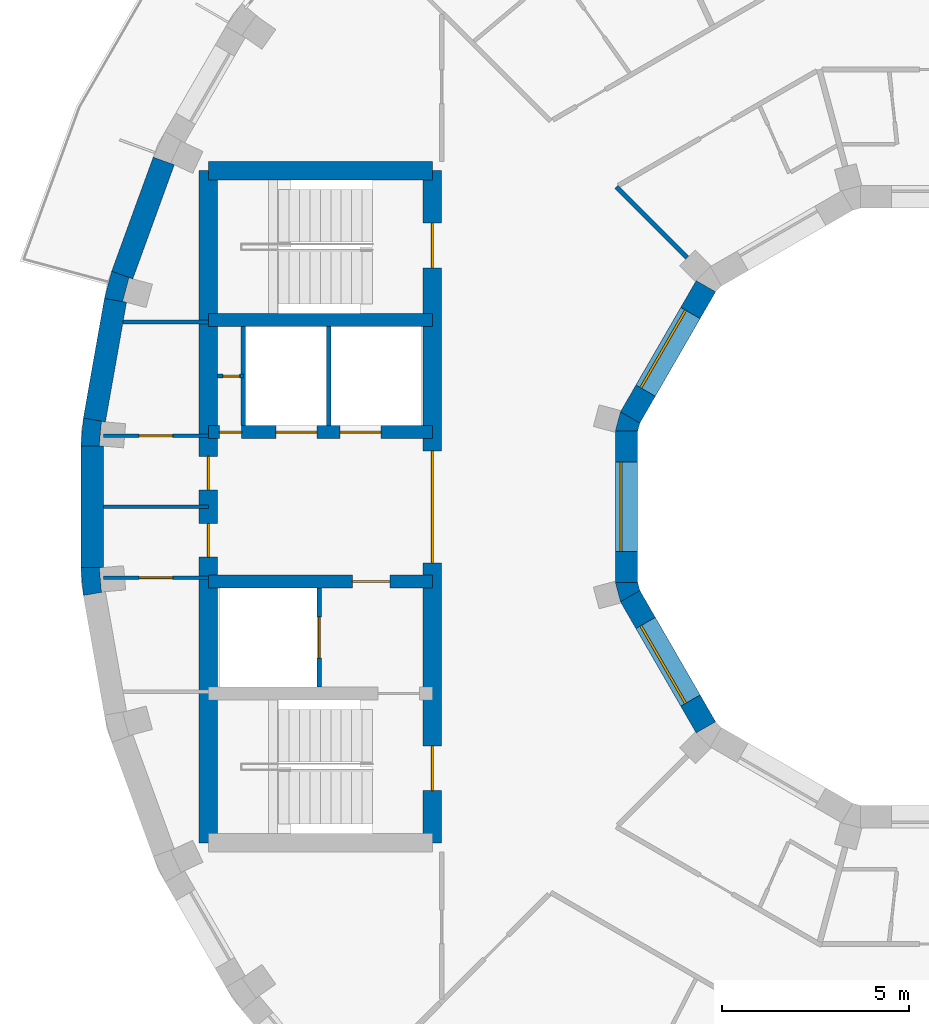
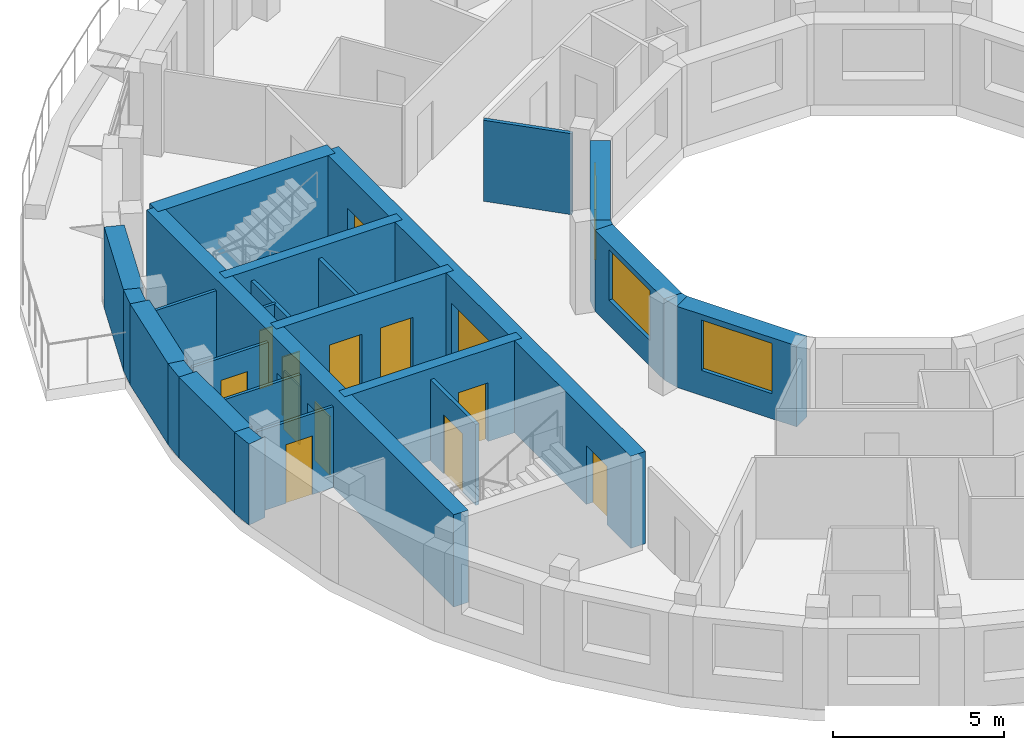
# One storey, part 6 of 12: 26 walls, 13 doors, 3 windows, 16 openings.
"""IFC4 building model written with IfcOpenShell, lengths in metres."""

from ifc_helpers import new_model, si_unit, direction, frame, frame_2d, origin, place, context, subcontext, project, spatial, polyline, rectangle, outline, extrude, material, layer, layer_set, type_object, element, fill, save


model = new_model("IFC4")

# Units and contexts
model_context = context("Model", 3, precision=1e-05, world=origin(), true_north=direction((0.0, 1.0)))
body_context = subcontext(model_context, "Body", "Model", "MODEL_VIEW")
ifc_project = project(units=[si_unit("LENGTHUNIT", "METRE"), si_unit("AREAUNIT", "SQUARE_METRE"), si_unit("VOLUMEUNIT", "CUBIC_METRE"), si_unit("PLANEANGLEUNIT", "RADIAN"), si_unit("MASSUNIT", "GRAM", prefix="KILO")], contexts=[model_context])

# Site, building, storey
site_placement = place(None, origin())
site = spatial("IfcSite", under=ifc_project, at=site_placement, CompositionType="ELEMENT")
building_placement = place(site_placement, origin())
building = spatial("IfcBuilding", under=site, at=building_placement, Name="Saqina Gate Tower", CompositionType="ELEMENT")
storey_placement = place(building_placement, frame((0.0, 0.0, 229.699951171875)))
storey = spatial("IfcBuildingStorey", under=building, at=storey_placement, Name="L65", CompositionType="ELEMENT", Elevation=229.699951171875)

# Walls
ifc_material_1 = material(Name="Brick masonry (buff)", Category="masonry")
wall_type_1 = type_object("IfcWallType", Name="BRICK PIER COPING BUFF", PredefinedType="SOLIDWALL", material=ifc_material_1)
wall_1_placement = place(storey_placement, origin())
element("IfcWall", 1, at=wall_1_placement, inside=storey, type_object=wall_type_1, Name="Pier cap L65 column 17", PredefinedType="SOLIDWALL", context=body_context, shape_type="SweptSolid", body=[
    extrude(outline(polyline([(-22.281982421875, 5.579833984375), (-21.691162109375, 5.4755859375), (-21.793212890625, 5.5029296875), (-21.625, 6.130859375), (-21.52294921875, 6.103515625), (-22.0869140625, 6.30859375), (-22.281982421875, 5.579833984375)])), origin(), (0.0, 0.0, 1.0), 2.900146484375),
])
wall_2_placement = place(storey_placement, origin())
element("IfcWall", 2, at=wall_2_placement, inside=storey, type_object=wall_type_1, Name="Pier cap L65 column 18", PredefinedType="SOLIDWALL", context=body_context, shape_type="SweptSolid", body=[
    extrude(outline(polyline([(-22.8466796875, 2.377685546875), (-22.91259765625, 1.625732421875), (-22.3125, 1.625732421875), (-22.417724609375, 1.635009765625), (-22.361083984375, 2.28271484375), (-22.255859375, 2.2734375), (-22.8466796875, 2.377685546875)])), origin(), (0.0, 0.0, 1.0), 2.900146484375),
])
wall_3_placement = place(storey_placement, origin())
element("IfcWall", 3, at=wall_3_placement, inside=storey, type_object=wall_type_1, Name="Pier cap L65 column 19", PredefinedType="SOLIDWALL", context=body_context, shape_type="SweptSolid", body=[
    extrude(outline(polyline([(-22.91259765625, -1.625732421875), (-22.8466796875, -2.377685546875), (-22.255859375, -2.2734375), (-22.361083984375, -2.28271484375), (-22.417724609375, -1.635009765625), (-22.3125, -1.625732421875), (-22.91259765625, -1.625732421875)])), origin(), (0.0, 0.0, 1.0), 2.900146484375),
])

# Wall, opening, door
ifc_material_2 = material(Name="Gypsum board on steel studs", Category="steel")
ifc_layer_1 = layer(ifc_material_2, 0.10009765625)
ifc_layer_set_1 = layer_set([ifc_layer_1], Name="CORE PARTITION")
wall_type_2 = type_object("IfcWallType", Name="CORE PARTITION", PredefinedType="PARTITIONING", material=ifc_layer_set_1)
wall_4_placement = place(storey_placement, frame((-18.56005859375, 3.5, 0.0), z_axis=(0.0, 0.0, 1.0), x_axis=(-1.0, 0.0, 0.0)))
wall_4 = element("IfcWall", 4, at=wall_4_placement, inside=storey, type_object=wall_type_2, Name="L65-CP-W01", PredefinedType="PARTITIONING", context=body_context, shape_type="SweptSolid", body=[
    extrude(rectangle(XDim=0.68994140625, YDim=0.10009765625, at=frame_2d((0.344970703125, 0.0))), origin(), (0.0, 0.0, 1.0), 2.900146484375),
])
opening_1_placement = place(wall_4_placement, frame((0.10009765625, 0.0, 0.0)))
opening_1 = element("IfcOpeningElement", 5, at=opening_1_placement, cuts=wall_4, Name="Opening G19-D107", PredefinedType="OPENING", context=body_context, shape_type="SweptSolid", body=[
    extrude(rectangle(XDim=0.449951171875, YDim=2.10009765625, at=frame_2d((0.22509765625, 1.050048828125))), frame((0.0, 0.06201171875, 0.0), z_axis=(0.0, -1.0, 0.0), x_axis=(1.0, 0.0, 0.0)), (0.0, 0.0, 1.0), 0.1240234375),
])
ifc_material_3 = material(Name="Steel-framed fire door leaf, EI 60", Category="steel")
door_type_1 = type_object("IfcDoorType", Name="SERVICE ROOM DOOR 450", OperationType="SINGLE_SWING_LEFT", PredefinedType="DOOR", material=ifc_material_3)
door_1_placement = place(opening_1_placement, origin())
door_1 = element("IfcDoor", 6, at=door_1_placement, inside=storey, type_object=door_type_1, Name="L65-CD-W18", OperationType="SINGLE_SWING_RIGHT", OverallHeight=2.10009765625, OverallWidth=0.449951171875, PredefinedType="DOOR", context=body_context, shape_type="SweptSolid", body=[
    extrude(rectangle(XDim=0.449951171875, YDim=2.10009765625, at=frame_2d((0.22509765625, 1.050048828125))), frame((0.0, 0.02490234375, 0.0), z_axis=(0.0, -1.0, 0.0), x_axis=(1.0, 0.0, 0.0)), (0.0, 0.0, 1.0), 0.050048828125),
])
fill(opening_1, door_1)

# Wall
wall_5_placement = place(storey_placement, frame((-19.5, 4.949951171875, 0.0), z_axis=(0.0, 0.0, 1.0), x_axis=(-1.0, 0.0, 0.0)))
element("IfcWall", 7, at=wall_5_placement, inside=storey, type_object=wall_type_2, Name="L65-CP-W02", PredefinedType="PARTITIONING", context=body_context, shape_type="SweptSolid", body=[
    extrude(rectangle(XDim=2.283935546875, YDim=0.10009765625, at=frame_2d((1.14208984375, 0.0))), origin(), (0.0, 0.0, 1.0), 2.900146484375),
])

# Wall, opening, door
wall_6_placement = place(storey_placement, frame((-19.5, 1.89990234375, 0.0), z_axis=(0.0, 0.0, 1.0), x_axis=(-1.0, 0.0, 0.0)))
wall_6 = element("IfcWall", 8, at=wall_6_placement, inside=storey, type_object=wall_type_2, Name="L65-CP-W03", PredefinedType="PARTITIONING", context=body_context, shape_type="SweptSolid", body=[
    extrude(rectangle(XDim=2.8125, YDim=0.10009765625, at=frame_2d((1.40625, 0.0))), origin(), (0.0, 0.0, 1.0), 2.900146484375),
])
opening_2_placement = place(wall_6_placement, frame((0.956298828125, 0.0, 0.0)))
opening_2 = element("IfcOpeningElement", 9, at=opening_2_placement, cuts=wall_6, Name="Opening G19-D103", PredefinedType="OPENING", context=body_context, shape_type="SweptSolid", body=[
    extrude(rectangle(XDim=0.89990234375, YDim=2.10009765625, at=frame_2d((0.449951171875, 1.050048828125))), frame((0.0, 0.06201171875, 0.0), z_axis=(0.0, -1.0, 0.0), x_axis=(1.0, 0.0, 0.0)), (0.0, 0.0, 1.0), 0.1240234375),
])
ifc_material_4 = material(Name="Steel-framed fire door leaf, EI 60", Category="steel")
door_type_2 = type_object("IfcDoorType", Name="SERVICE ROOM DOOR 900", OperationType="SINGLE_SWING_LEFT", PredefinedType="DOOR", material=ifc_material_4)
door_2_placement = place(opening_2_placement, frame((0.89990234375, 0.0, 0.0), z_axis=(0.0, 0.0, 1.0), x_axis=(-1.0, 0.0, 0.0)))
door_2 = element("IfcDoor", 10, at=door_2_placement, inside=storey, type_object=door_type_2, Name="L65-CD-W14", OperationType="SINGLE_SWING_LEFT", OverallHeight=2.10009765625, OverallWidth=0.89990234375, PredefinedType="DOOR", context=body_context, shape_type="SweptSolid", body=[
    extrude(rectangle(XDim=0.89990234375, YDim=2.10009765625, at=frame_2d((0.449951171875, 1.050048828125))), frame((0.0, 0.02490234375, 0.0), z_axis=(0.0, -1.0, 0.0), x_axis=(1.0, 0.0, 0.0)), (0.0, 0.0, 1.0), 0.050048828125),
])
fill(opening_2, door_2)

wall_7_placement = place(storey_placement, frame((-19.5, -1.89990234375, 0.0), z_axis=(0.0, 0.0, 1.0), x_axis=(-1.0, 0.0, 0.0)))
wall_7 = element("IfcWall", 11, at=wall_7_placement, inside=storey, type_object=wall_type_2, Name="L65-CP-W05", PredefinedType="PARTITIONING", context=body_context, shape_type="SweptSolid", body=[
    extrude(rectangle(XDim=2.8125, YDim=0.10009765625, at=frame_2d((1.40625, 0.0))), origin(), (0.0, 0.0, 1.0), 2.900146484375),
])
opening_3_placement = place(wall_7_placement, frame((0.956298828125, 0.0, 0.0)))
opening_3 = element("IfcOpeningElement", 12, at=opening_3_placement, cuts=wall_7, Name="Opening G19-D105", PredefinedType="OPENING", context=body_context, shape_type="SweptSolid", body=[
    extrude(rectangle(XDim=0.89990234375, YDim=2.10009765625, at=frame_2d((0.449951171875, 1.050048828125))), frame((0.0, 0.06201171875, 0.0), z_axis=(0.0, -1.0, 0.0), x_axis=(1.0, 0.0, 0.0)), (0.0, 0.0, 1.0), 0.1240234375),
])
door_3_placement = place(opening_3_placement, origin())
door_3 = element("IfcDoor", 13, at=door_3_placement, inside=storey, type_object=door_type_2, Name="L65-CD-W16", OperationType="SINGLE_SWING_RIGHT", OverallHeight=2.10009765625, OverallWidth=0.89990234375, PredefinedType="DOOR", context=body_context, shape_type="SweptSolid", body=[
    extrude(rectangle(XDim=0.89990234375, YDim=2.10009765625, at=frame_2d((0.449951171875, 1.050048828125))), frame((0.0, 0.02490234375, 0.0), z_axis=(0.0, -1.0, 0.0), x_axis=(1.0, 0.0, 0.0)), (0.0, 0.0, 1.0), 0.050048828125),
])
fill(opening_3, door_3)

# Walls
wall_8_placement = place(storey_placement, frame((-19.5, 0.0, 0.0), z_axis=(0.0, 0.0, 1.0), x_axis=(-1.0, 0.0, 0.0)))
element("IfcWall", 14, at=wall_8_placement, inside=storey, type_object=wall_type_2, Name="L65-CP-W06", PredefinedType="PARTITIONING", context=body_context, shape_type="SweptSolid", body=[
    extrude(rectangle(XDim=2.8125, YDim=0.10009765625, at=frame_2d((1.40625, 0.0))), origin(), (0.0, 0.0, 1.0), 2.900146484375),
])
ifc_material_5 = material(Name="Glazed ceramic tile", Category="ceramic")
ifc_layer_2 = layer(ifc_material_5, 0.60009765625)
ifc_layer_set_2 = layer_set([ifc_layer_2], Name="FW-TILE")
wall_type_3 = type_object("IfcWallType", Name="FW-TILE", PredefinedType="SOLIDWALL", material=ifc_layer_set_2)
wall_9_placement = place(storey_placement, frame((-20.692626953125, 9.26171875, 0.0), z_axis=(0.0, 0.0, 1.0), x_axis=(-0.342056509473, -0.939679383794, 0.0)))
element("IfcWall", 15, at=wall_9_placement, inside=storey, type_object=wall_type_3, Name="Facade wall L65 facet 16", PredefinedType="SOLIDWALL", context=body_context, shape_type="SweptSolid", body=[
    extrude(rectangle(XDim=3.251708984375, YDim=0.60009765625, at=frame_2d((1.6259765625, 0.0))), origin(), (0.0, 0.0, 1.0), 2.900146484375),
])
wall_10_placement = place(storey_placement, frame((-22.612548828125, 1.625732421875, 0.0), z_axis=(0.0, 0.0, 1.0), x_axis=(0.0, -1.0, 0.0)))
element("IfcWall", 16, at=wall_10_placement, inside=storey, type_object=wall_type_3, Name="Facade wall L65 facet 18", PredefinedType="SOLIDWALL", context=body_context, shape_type="SweptSolid", body=[
    extrude(rectangle(XDim=3.25146484375, YDim=0.60009765625, at=frame_2d((1.625732421875, 0.0))), origin(), (0.0, 0.0, 1.0), 2.900146484375),
])
ifc_material_6 = material(Name="Glazed ceramic tile (dark blue)", Category="ceramic")
ifc_layer_3 = layer(ifc_material_6, 0.60009765625)
ifc_layer_set_3 = layer_set([ifc_layer_3], Name="FW-TILE-CB")
wall_type_4 = type_object("IfcWallType", Name="FW-TILE-CB", PredefinedType="SOLIDWALL", material=ifc_layer_set_3)
wall_11_placement = place(storey_placement, frame((-21.986572265625, 5.52783203125, 0.0), z_axis=(0.0, 0.0, 1.0), x_axis=(-0.173656842178, -0.984806225186, 0.0)))
element("IfcWall", 17, at=wall_11_placement, inside=storey, type_object=wall_type_4, Name="Facade wall L65 facet 17", PredefinedType="SOLIDWALL", context=body_context, shape_type="SweptSolid", body=[
    extrude(rectangle(XDim=3.251708984375, YDim=0.60009765625, at=frame_2d((1.6259765625, 0.0))), origin(), (0.0, 0.0, 1.0), 2.900146484375),
])

# Wall, opening, window
ifc_material_7 = material(Name="Glazed ceramic tile", Category="ceramic")
ifc_layer_4 = layer(ifc_material_7, 0.60009765625)
ifc_layer_set_4 = layer_set([ifc_layer_4], Name="IW-TILE")
wall_type_5 = type_object("IfcWallType", Name="IW-TILE", PredefinedType="SOLIDWALL", material=ifc_layer_set_4)
wall_12_placement = place(storey_placement, frame((-6.17333984375, 5.907470703125, 0.0), z_axis=(0.0, 0.0, 1.0), x_axis=(-0.499994954979, -0.866028316509, 0.0)))
wall_12 = element("IfcWall", 18, at=wall_12_placement, inside=storey, type_object=wall_type_5, Name="Well wall L65 facet 5", PredefinedType="SOLIDWALL", context=body_context, shape_type="SweptSolid", body=[
    extrude(rectangle(XDim=4.05859375, YDim=0.60009765625, at=frame_2d((2.029296875, 0.0))), origin(), (0.0, 0.0, 1.0), 2.900146484375),
])
opening_4_placement = place(wall_12_placement, frame((0.829345703125, 0.0, 0.89990234375)))
opening_4 = element("IfcOpeningElement", 19, at=opening_4_placement, cuts=wall_12, Name="Opening G19-W27", PredefinedType="OPENING", context=body_context, shape_type="SweptSolid", body=[
    extrude(rectangle(XDim=2.39990234375, YDim=1.800048828125, at=frame_2d((1.199951171875, 0.89990234375))), frame((0.0, 0.31201171875, 0.0), z_axis=(0.0, -1.0, 0.0), x_axis=(1.0, 0.0, 0.0)), (0.0, 0.0, 1.0), 0.6240234375),
])
ifc_material_8 = material(Name="Aluminium glazing", Category="aluminium")
window_type = type_object("IfcWindowType", Name="WN-W", PartitioningType="SINGLE_PANEL", PredefinedType="WINDOW", material=ifc_material_8)
window_1_placement = place(opening_4_placement, origin())
window_1 = element("IfcWindow", 20, at=window_1_placement, inside=storey, type_object=window_type, Name="Well window L65 facet 5", OverallHeight=1.800048828125, OverallWidth=2.39990234375, PartitioningType="SINGLE_PANEL", PredefinedType="WINDOW", context=body_context, shape_type="SweptSolid", body=[
    extrude(rectangle(XDim=2.39990234375, YDim=1.800048828125, at=frame_2d((1.199951171875, 0.89990234375))), frame((0.0, -0.119873046875, 0.0), z_axis=(0.0, -1.0, 0.0), x_axis=(1.0, 0.0, 0.0)), (0.0, 0.0, 1.0), 0.06005859375),
])
fill(opening_4, window_1)

wall_13_placement = place(storey_placement, frame((-8.300048828125, 2.029296875, 0.0), z_axis=(0.0, 0.0, 1.0), x_axis=(0.0, -1.0, 0.0)))
wall_13 = element("IfcWall", 21, at=wall_13_placement, inside=storey, type_object=wall_type_5, Name="Well wall L65 facet 6", PredefinedType="SOLIDWALL", context=body_context, shape_type="SweptSolid", body=[
    extrude(rectangle(XDim=4.05859375, YDim=0.60009765625, at=frame_2d((2.029296875, 0.0))), origin(), (0.0, 0.0, 1.0), 2.900146484375),
])
opening_5_placement = place(wall_13_placement, frame((0.829345703125, 0.0, 0.89990234375)))
opening_5 = element("IfcOpeningElement", 22, at=opening_5_placement, cuts=wall_13, Name="Opening G19-W28", PredefinedType="OPENING", context=body_context, shape_type="SweptSolid", body=[
    extrude(rectangle(XDim=2.39990234375, YDim=1.800048828125, at=frame_2d((1.199951171875, 0.89990234375))), frame((0.0, 0.31201171875, 0.0), z_axis=(0.0, -1.0, 0.0), x_axis=(1.0, 0.0, 0.0)), (0.0, 0.0, 1.0), 0.6240234375),
])
window_2_placement = place(opening_5_placement, origin())
window_2 = element("IfcWindow", 23, at=window_2_placement, inside=storey, type_object=window_type, Name="Well window L65 facet 6", OverallHeight=1.800048828125, OverallWidth=2.39990234375, PartitioningType="SINGLE_PANEL", PredefinedType="WINDOW", context=body_context, shape_type="SweptSolid", body=[
    extrude(rectangle(XDim=2.39990234375, YDim=1.800048828125, at=frame_2d((1.199951171875, 0.89990234375))), frame((0.0, -0.119873046875, 0.0), z_axis=(0.0, -1.0, 0.0), x_axis=(1.0, 0.0, 0.0)), (0.0, 0.0, 1.0), 0.06005859375),
])
fill(opening_5, window_2)

wall_14_placement = place(storey_placement, frame((-8.20263671875, -2.392578125, 0.0), z_axis=(0.0, 0.0, 1.0), x_axis=(0.499994954979, -0.866028316509, 0.0)))
wall_14 = element("IfcWall", 24, at=wall_14_placement, inside=storey, type_object=wall_type_5, Name="Well wall L65 facet 7", PredefinedType="SOLIDWALL", context=body_context, shape_type="SweptSolid", body=[
    extrude(rectangle(XDim=4.05859375, YDim=0.60009765625, at=frame_2d((2.029296875, 0.0))), origin(), (0.0, 0.0, 1.0), 2.900146484375),
])
opening_6_placement = place(wall_14_placement, frame((0.829345703125, 0.0, 0.89990234375)))
opening_6 = element("IfcOpeningElement", 25, at=opening_6_placement, cuts=wall_14, Name="Opening G19-W29", PredefinedType="OPENING", context=body_context, shape_type="SweptSolid", body=[
    extrude(rectangle(XDim=2.39990234375, YDim=1.800048828125, at=frame_2d((1.199951171875, 0.89990234375))), frame((0.0, 0.31201171875, 0.0), z_axis=(0.0, -1.0, 0.0), x_axis=(1.0, 0.0, 0.0)), (0.0, 0.0, 1.0), 0.6240234375),
])
window_3_placement = place(opening_6_placement, origin())
window_3 = element("IfcWindow", 26, at=window_3_placement, inside=storey, type_object=window_type, Name="Well window L65 facet 7", OverallHeight=1.800048828125, OverallWidth=2.39990234375, PartitioningType="SINGLE_PANEL", PredefinedType="WINDOW", context=body_context, shape_type="SweptSolid", body=[
    extrude(rectangle(XDim=2.39990234375, YDim=1.800048828125, at=frame_2d((1.199951171875, 0.89990234375))), frame((0.0, -0.119873046875, 0.0), z_axis=(0.0, -1.0, 0.0), x_axis=(1.0, 0.0, 0.0)), (0.0, 0.0, 1.0), 0.06005859375),
])
fill(opening_6, window_3)

# Walls
ifc_material_9 = material(Name="Gypsum board on steel studs, 125 mm, fire rated", Category="steel")
ifc_layer_5 = layer(ifc_material_9, 0.125)
ifc_layer_set_5 = layer_set([ifc_layer_5], Name="PARTITION EI 30 125")
wall_type_6 = type_object("IfcWallType", Name="PARTITION EI 30 125", PredefinedType="PARTITIONING", material=ifc_layer_set_5)
wall_15_placement = place(storey_placement, frame((-8.572021484375, 8.572021484375, 0.0), z_axis=(0.0, 0.0, 1.0), x_axis=(0.707106781187, -0.707106781187, 0.0)))
element("IfcWall", 27, at=wall_15_placement, inside=storey, type_object=wall_type_6, Name="PARTITION PW1-05", PredefinedType="PARTITIONING", context=body_context, shape_type="SweptSolid", body=[
    extrude(rectangle(XDim=2.680419921875, YDim=0.125, at=frame_2d((1.34033203125, 0.0))), origin(), (0.0, 0.0, 1.0), 2.900146484375),
])
ifc_material_10 = material(Name="Autoclaved aerated concrete block", Category="concrete")
ifc_layer_6 = layer(ifc_material_10, 0.1201171875)
ifc_layer_set_6 = layer_set([ifc_layer_6], Name="SHAFT PARTITION")
wall_type_7 = type_object("IfcWallType", Name="SHAFT PARTITION", PredefinedType="PARTITIONING", material=ifc_layer_set_6)
for number, where, z_axis, x_axis, name in (
    (28, (-16.280029296875, 2.175048828125, 0.0), (0.0, 0.0, 1.0), (0.0, 1.0, 0.0), "L65-CP-W07"),
    (29, (-18.56005859375, 2.175048828125, 0.0), (0.0, 0.0, 1.0), (0.0, 1.0, 0.0), "L65-CP-W08"),
):
    element("IfcWall", number, at=place(storey_placement, frame(where, z_axis=z_axis, x_axis=x_axis)), inside=storey, type_object=wall_type_7, Name=name, PredefinedType="PARTITIONING", context=body_context, shape_type="SweptSolid", body=[
        extrude(rectangle(XDim=2.64990234375, YDim=0.1201171875, at=frame_2d((1.324951171875, 0.0))), origin(), (0.0, 0.0, 1.0), 2.900146484375),
    ])

# Wall, opening, door
wall_16_placement = place(storey_placement, frame((-16.530029296875, -4.824951171875, 0.0), z_axis=(0.0, 0.0, 1.0), x_axis=(0.0, 1.0, 0.0)))
wall_16 = element("IfcWall", 30, at=wall_16_placement, inside=storey, type_object=wall_type_7, Name="L65-CP-W09", PredefinedType="PARTITIONING", context=body_context, shape_type="SweptSolid", body=[
    extrude(rectangle(XDim=2.64990234375, YDim=0.1201171875, at=frame_2d((1.324951171875, 0.0))), origin(), (0.0, 0.0, 1.0), 2.900146484375),
])
opening_7_placement = place(wall_16_placement, frame((0.77490234375, 0.0, 0.0)))
opening_7 = element("IfcOpeningElement", 31, at=opening_7_placement, cuts=wall_16, Name="Opening G19-LD6", PredefinedType="OPENING", context=body_context, shape_type="SweptSolid", body=[
    extrude(rectangle(XDim=1.10009765625, YDim=2.10009765625, at=frame_2d((0.550048828125, 1.050048828125))), frame((0.0, 0.072021484375, 0.0), z_axis=(0.0, -1.0, 0.0), x_axis=(1.0, 0.0, 0.0)), (0.0, 0.0, 1.0), 0.14404296875),
])
ifc_material_11 = material(Name="Stainless steel", Category="steel")
door_type_3 = type_object("IfcDoorType", Name="LANDING DOOR", OperationType="DOUBLE_DOOR_SLIDING", PredefinedType="DOOR", material=ifc_material_11)
door_4_placement = place(opening_7_placement, origin())
door_4 = element("IfcDoor", 32, at=door_4_placement, inside=storey, type_object=door_type_3, Name="LANDING DOOR FF2", OperationType="DOUBLE_DOOR_SLIDING", OverallHeight=2.10009765625, OverallWidth=1.10009765625, PredefinedType="DOOR", context=body_context, shape_type="SweptSolid", body=[
    extrude(rectangle(XDim=1.10009765625, YDim=2.10009765625, at=frame_2d((0.550048828125, 1.050048828125))), frame((0.0, 0.02490234375, 0.0), z_axis=(0.0, -1.0, 0.0), x_axis=(1.0, 0.0, 0.0)), (0.0, 0.0, 1.0), 0.050048828125),
])
fill(opening_7, door_4)

# Wall
ifc_material_12 = material(Name="Concrete C60/75", Category="concrete")
ifc_layer_7 = layer(ifc_material_12, 0.35009765625)
ifc_layer_set_7 = layer_set([ifc_layer_7], Name="Concrete C60/75")
wall_type_8 = type_object("IfcWallType", Name="STR-CORE WALL-D-I", PredefinedType="SHEAR", material=ifc_layer_set_7)
wall_17_placement = place(storey_placement, frame((-13.5, 5.0, 0.0), z_axis=(0.0, 0.0, 1.0), x_axis=(-1.0, 0.0, 0.0)))
element("IfcWall", 33, at=wall_17_placement, inside=storey, type_object=wall_type_8, Name="CORE WALL L65 W-X1", PredefinedType="SHEAR", context=body_context, shape_type="SweptSolid", body=[
    extrude(rectangle(XDim=6.0, YDim=0.35009765625, at=frame_2d((3.0, 0.0))), origin(), (0.0, 0.0, 1.0), 3.300048828125),
])

# Wall, openings, doors
wall_18_placement = place(storey_placement, frame((-13.5, 2.0, 0.0), z_axis=(0.0, 0.0, 1.0), x_axis=(-1.0, 0.0, 0.0)))
wall_18 = element("IfcWall", 34, at=wall_18_placement, inside=storey, type_object=wall_type_8, Name="CORE WALL L65 W-L1", PredefinedType="SHEAR", context=body_context, shape_type="SweptSolid", body=[
    extrude(rectangle(XDim=6.0, YDim=0.35009765625, at=frame_2d((3.0, 0.0))), origin(), (0.0, 0.0, 1.0), 3.300048828125),
])
opening_8_placement = place(wall_18_placement, frame((1.3701171875, 0.0, 0.0)))
opening_8 = element("IfcOpeningElement", 35, at=opening_8_placement, cuts=wall_18, Name="Opening G19-LD4", PredefinedType="OPENING", context=body_context, shape_type="SweptSolid", body=[
    extrude(rectangle(XDim=1.10009765625, YDim=2.10009765625, at=frame_2d((0.550048828125, 1.050048828125))), frame((0.0, 0.18701171875, 0.0), z_axis=(0.0, -1.0, 0.0), x_axis=(1.0, 0.0, 0.0)), (0.0, 0.0, 1.0), 0.3740234375),
])
opening_9_placement = place(wall_18_placement, frame((3.090087890625, 0.0, 0.0)))
opening_9 = element("IfcOpeningElement", 36, at=opening_9_placement, cuts=wall_18, Name="Opening G19-LD5", PredefinedType="OPENING", context=body_context, shape_type="SweptSolid", body=[
    extrude(rectangle(XDim=1.10009765625, YDim=2.10009765625, at=frame_2d((0.550048828125, 1.050048828125))), frame((0.0, 0.18701171875, 0.0), z_axis=(0.0, -1.0, 0.0), x_axis=(1.0, 0.0, 0.0)), (0.0, 0.0, 1.0), 0.3740234375),
])
opening_10_placement = place(wall_18_placement, frame((5.10498046875, 0.0, 0.0)))
opening_10 = element("IfcOpeningElement", 37, at=opening_10_placement, cuts=wall_18, Name="Opening G19-D101", PredefinedType="OPENING", context=body_context, shape_type="SweptSolid", body=[
    extrude(rectangle(XDim=0.60009765625, YDim=2.10009765625, at=frame_2d((0.300048828125, 1.050048828125))), frame((0.0, 0.18701171875, 0.0), z_axis=(0.0, -1.0, 0.0), x_axis=(1.0, 0.0, 0.0)), (0.0, 0.0, 1.0), 0.3740234375),
])
door_5_placement = place(opening_8_placement, origin())
door_5 = element("IfcDoor", 38, at=door_5_placement, inside=storey, type_object=door_type_3, Name="LANDING DOOR HR3", OperationType="DOUBLE_DOOR_SLIDING", OverallHeight=2.10009765625, OverallWidth=1.10009765625, PredefinedType="DOOR", context=body_context, shape_type="SweptSolid", body=[
    extrude(rectangle(XDim=1.10009765625, YDim=2.10009765625, at=frame_2d((0.550048828125, 1.050048828125))), frame((0.0, 0.02490234375, 0.0), z_axis=(0.0, -1.0, 0.0), x_axis=(1.0, 0.0, 0.0)), (0.0, 0.0, 1.0), 0.050048828125),
])
fill(opening_8, door_5)
door_6_placement = place(opening_9_placement, origin())
door_6 = element("IfcDoor", 39, at=door_6_placement, inside=storey, type_object=door_type_3, Name="LANDING DOOR HR4", OperationType="DOUBLE_DOOR_SLIDING", OverallHeight=2.10009765625, OverallWidth=1.10009765625, PredefinedType="DOOR", context=body_context, shape_type="SweptSolid", body=[
    extrude(rectangle(XDim=1.10009765625, YDim=2.10009765625, at=frame_2d((0.550048828125, 1.050048828125))), frame((0.0, 0.02490234375, 0.0), z_axis=(0.0, -1.0, 0.0), x_axis=(1.0, 0.0, 0.0)), (0.0, 0.0, 1.0), 0.050048828125),
])
fill(opening_9, door_6)
ifc_material_13 = material(Name="Steel-framed fire door leaf, EI 60", Category="steel")
door_type_4 = type_object("IfcDoorType", Name="SERVICE ROOM DOOR 600", OperationType="SINGLE_SWING_LEFT", PredefinedType="DOOR", material=ifc_material_13)
door_7_placement = place(opening_10_placement, frame((0.60009765625, 0.0, 0.0), z_axis=(0.0, 0.0, 1.0), x_axis=(-1.0, 0.0, 0.0)))
door_7 = element("IfcDoor", 40, at=door_7_placement, inside=storey, type_object=door_type_4, Name="L65-CD-W12", OperationType="SINGLE_SWING_LEFT", OverallHeight=2.10009765625, OverallWidth=0.60009765625, PredefinedType="DOOR", context=body_context, shape_type="SweptSolid", body=[
    extrude(rectangle(XDim=0.60009765625, YDim=2.10009765625, at=frame_2d((0.300048828125, 1.050048828125))), frame((0.0, 0.02490234375, 0.0), z_axis=(0.0, -1.0, 0.0), x_axis=(1.0, 0.0, 0.0)), (0.0, 0.0, 1.0), 0.050048828125),
])
fill(opening_10, door_7)

# Wall, opening, door
wall_19_placement = place(storey_placement, frame((-13.5, -2.0, 0.0), z_axis=(0.0, 0.0, 1.0), x_axis=(-1.0, 0.0, 0.0)))
wall_19 = element("IfcWall", 41, at=wall_19_placement, inside=storey, type_object=wall_type_8, Name="CORE WALL L65 W-L2", PredefinedType="SHEAR", context=body_context, shape_type="SweptSolid", body=[
    extrude(rectangle(XDim=6.0, YDim=0.35009765625, at=frame_2d((3.0, 0.0))), origin(), (0.0, 0.0, 1.0), 3.300048828125),
])
opening_11_placement = place(wall_19_placement, frame((1.139892578125, 0.0, 0.0)))
opening_11 = element("IfcOpeningElement", 42, at=opening_11_placement, cuts=wall_19, Name="Opening G19-D102", PredefinedType="OPENING", context=body_context, shape_type="SweptSolid", body=[
    extrude(rectangle(XDim=1.0, YDim=2.10009765625, at=frame_2d((0.5, 1.050048828125))), frame((0.0, 0.18701171875, 0.0), z_axis=(0.0, -1.0, 0.0), x_axis=(1.0, 0.0, 0.0)), (0.0, 0.0, 1.0), 0.3740234375),
])
ifc_material_14 = material(Name="Steel", Category="steel")
door_type_5 = type_object("IfcDoorType", Name="FIRE LOBBY DOOR EI 60", OperationType="SINGLE_SWING_LEFT", PredefinedType="DOOR", material=ifc_material_14)
door_8_placement = place(opening_11_placement, frame((1.0, 0.0, 0.0), z_axis=(0.0, 0.0, 1.0), x_axis=(-1.0, 0.0, 0.0)))
door_8 = element("IfcDoor", 43, at=door_8_placement, inside=storey, type_object=door_type_5, Name="L65-CD-W13", OperationType="SINGLE_SWING_RIGHT", OverallHeight=2.10009765625, OverallWidth=1.0, PredefinedType="DOOR", context=body_context, shape_type="SweptSolid", body=[
    extrude(rectangle(XDim=1.0, YDim=2.10009765625, at=frame_2d((0.5, 1.050048828125))), frame((0.0, 0.02490234375, 0.0), z_axis=(0.0, -1.0, 0.0), x_axis=(1.0, 0.0, 0.0)), (0.0, 0.0, 1.0), 0.050048828125),
])
fill(opening_11, door_8)

# Wall, openings, doors
ifc_material_15 = material(Name="Concrete C60/75", Category="concrete")
ifc_layer_8 = layer(ifc_material_15, 0.5)
ifc_layer_set_8 = layer_set([ifc_layer_8], Name="Concrete C60/75")
wall_type_9 = type_object("IfcWallType", Name="STR-CORE WALL-D-O", PredefinedType="SHEAR", material=ifc_layer_set_8)
wall_20_placement = place(storey_placement, frame((-13.5, -9.0, 0.0), z_axis=(0.0, 0.0, 1.0), x_axis=(0.0, 1.0, 0.0)))
wall_20 = element("IfcWall", 44, at=wall_20_placement, inside=storey, type_object=wall_type_9, Name="CORE WALL L65 W-W1", PredefinedType="SHEAR", context=body_context, shape_type="SweptSolid", body=[
    extrude(rectangle(XDim=18.0, YDim=0.5, at=frame_2d((9.0, 0.0))), origin(), (0.0, 0.0, 1.0), 3.300048828125),
])
opening_12_placement = place(wall_20_placement, frame((15.39990234375, 0.0, 0.0)))
opening_12 = element("IfcOpeningElement", 45, at=opening_12_placement, cuts=wall_20, Name="Opening G19-D109", PredefinedType="OPENING", context=body_context, shape_type="SweptSolid", body=[
    extrude(rectangle(XDim=1.199951171875, YDim=2.10009765625, at=frame_2d((0.60009765625, 1.050048828125))), frame((0.0, 0.261962890625, 0.0), z_axis=(0.0, -1.0, 0.0), x_axis=(1.0, 0.0, 0.0)), (0.0, 0.0, 1.0), 0.52392578125),
])
opening_13_placement = place(wall_20_placement, frame((1.39990234375, 0.0, 0.0)))
opening_13 = element("IfcOpeningElement", 46, at=opening_13_placement, cuts=wall_20, Name="Opening G19-D110", PredefinedType="OPENING", context=body_context, shape_type="SweptSolid", body=[
    extrude(rectangle(XDim=1.199951171875, YDim=2.10009765625, at=frame_2d((0.60009765625, 1.050048828125))), frame((0.0, 0.261962890625, 0.0), z_axis=(0.0, -1.0, 0.0), x_axis=(1.0, 0.0, 0.0)), (0.0, 0.0, 1.0), 0.52392578125),
])
opening_14_placement = place(wall_20_placement, frame((7.5, 0.0, 0.0)))
opening_14 = element("IfcOpeningElement", 47, at=opening_14_placement, cuts=wall_20, Name="Opening G19-D111", PredefinedType="OPENING", context=body_context, shape_type="SweptSolid", body=[
    extrude(rectangle(XDim=3.0, YDim=2.39990234375, at=frame_2d((1.5, 1.199951171875))), frame((0.0, 0.261962890625, 0.0), z_axis=(0.0, -1.0, 0.0), x_axis=(1.0, 0.0, 0.0)), (0.0, 0.0, 1.0), 0.52392578125),
])
ifc_material_16 = material(Name="Steel", Category="steel")
door_type_6 = type_object("IfcDoorType", Name="FIRE DOOR EI 60", OperationType="SINGLE_SWING_LEFT", PredefinedType="DOOR", material=ifc_material_16)
door_9_placement = place(opening_12_placement, origin())
door_9 = element("IfcDoor", 48, at=door_9_placement, inside=storey, type_object=door_type_6, Name="L65-CD-W20", OperationType="SINGLE_SWING_RIGHT", OverallHeight=2.10009765625, OverallWidth=1.199951171875, PredefinedType="DOOR", context=body_context, shape_type="SweptSolid", body=[
    extrude(rectangle(XDim=1.199951171875, YDim=2.10009765625, at=frame_2d((0.60009765625, 1.050048828125))), frame((0.0, 0.02490234375, 0.0), z_axis=(0.0, -1.0, 0.0), x_axis=(1.0, 0.0, 0.0)), (0.0, 0.0, 1.0), 0.050048828125),
])
fill(opening_12, door_9)
door_10_placement = place(opening_13_placement, origin())
door_10 = element("IfcDoor", 49, at=door_10_placement, inside=storey, type_object=door_type_6, Name="L65-CD-W21", OperationType="SINGLE_SWING_LEFT", OverallHeight=2.10009765625, OverallWidth=1.199951171875, PredefinedType="DOOR", context=body_context, shape_type="SweptSolid", body=[
    extrude(rectangle(XDim=1.199951171875, YDim=2.10009765625, at=frame_2d((0.60009765625, 1.050048828125))), frame((0.0, 0.02490234375, 0.0), z_axis=(0.0, -1.0, 0.0), x_axis=(1.0, 0.0, 0.0)), (0.0, 0.0, 1.0), 0.050048828125),
])
fill(opening_13, door_10)
ifc_material_17 = material(Name="Steel and fire-resisting glass", Category="steel")
door_type_7 = type_object("IfcDoorType", Name="LOBBY SCREEN DOOR", OperationType="DOUBLE_DOOR_SLIDING", PredefinedType="DOOR", material=ifc_material_17)
door_11_placement = place(opening_14_placement, origin())
door_11 = element("IfcDoor", 50, at=door_11_placement, inside=storey, type_object=door_type_7, Name="L65-CD-W22", OperationType="DOUBLE_DOOR_SLIDING", OverallHeight=2.39990234375, OverallWidth=3.0, PredefinedType="DOOR", context=body_context, shape_type="SweptSolid", body=[
    extrude(rectangle(XDim=3.0, YDim=2.39990234375, at=frame_2d((1.5, 1.199951171875))), frame((0.0, 0.02490234375, 0.0), z_axis=(0.0, -1.0, 0.0), x_axis=(1.0, 0.0, 0.0)), (0.0, 0.0, 1.0), 0.050048828125),
])
fill(opening_14, door_11)

wall_21_placement = place(storey_placement, frame((-19.5, -9.0, 0.0), z_axis=(0.0, 0.0, 1.0), x_axis=(0.0, 1.0, 0.0)))
wall_21 = element("IfcWall", 51, at=wall_21_placement, inside=storey, type_object=wall_type_9, Name="CORE WALL L65 W-W2", PredefinedType="SHEAR", context=body_context, shape_type="SweptSolid", body=[
    extrude(rectangle(XDim=18.0, YDim=0.5, at=frame_2d((9.0, 0.0))), origin(), (0.0, 0.0, 1.0), 3.300048828125),
])
opening_15_placement = place(wall_21_placement, frame((9.449951171875, 0.0, 0.0)))
opening_15 = element("IfcOpeningElement", 52, at=opening_15_placement, cuts=wall_21, Name="Opening G19-D104", PredefinedType="OPENING", context=body_context, shape_type="SweptSolid", body=[
    extrude(rectangle(XDim=0.89990234375, YDim=2.10009765625, at=frame_2d((0.449951171875, 1.050048828125))), frame((0.0, 0.261962890625, 0.0), z_axis=(0.0, -1.0, 0.0), x_axis=(1.0, 0.0, 0.0)), (0.0, 0.0, 1.0), 0.52392578125),
])
opening_16_placement = place(wall_21_placement, frame((7.64990234375, 0.0, 0.0)))
opening_16 = element("IfcOpeningElement", 53, at=opening_16_placement, cuts=wall_21, Name="Opening G19-D106", PredefinedType="OPENING", context=body_context, shape_type="SweptSolid", body=[
    extrude(rectangle(XDim=0.89990234375, YDim=2.10009765625, at=frame_2d((0.449951171875, 1.050048828125))), frame((0.0, 0.261962890625, 0.0), z_axis=(0.0, -1.0, 0.0), x_axis=(1.0, 0.0, 0.0)), (0.0, 0.0, 1.0), 0.52392578125),
])
door_12_placement = place(opening_15_placement, origin())
door_12 = element("IfcDoor", 54, at=door_12_placement, inside=storey, type_object=door_type_2, Name="L65-CD-W15", OperationType="SINGLE_SWING_RIGHT", OverallHeight=2.10009765625, OverallWidth=0.89990234375, PredefinedType="DOOR", context=body_context, shape_type="SweptSolid", body=[
    extrude(rectangle(XDim=0.89990234375, YDim=2.10009765625, at=frame_2d((0.449951171875, 1.050048828125))), frame((0.0, 0.02490234375, 0.0), z_axis=(0.0, -1.0, 0.0), x_axis=(1.0, 0.0, 0.0)), (0.0, 0.0, 1.0), 0.050048828125),
])
fill(opening_15, door_12)
door_13_placement = place(opening_16_placement, origin())
door_13 = element("IfcDoor", 55, at=door_13_placement, inside=storey, type_object=door_type_2, Name="L65-CD-W17", OperationType="SINGLE_SWING_LEFT", OverallHeight=2.10009765625, OverallWidth=0.89990234375, PredefinedType="DOOR", context=body_context, shape_type="SweptSolid", body=[
    extrude(rectangle(XDim=0.89990234375, YDim=2.10009765625, at=frame_2d((0.449951171875, 1.050048828125))), frame((0.0, 0.02490234375, 0.0), z_axis=(0.0, -1.0, 0.0), x_axis=(1.0, 0.0, 0.0)), (0.0, 0.0, 1.0), 0.050048828125),
])
fill(opening_16, door_13)

# Walls
wall_22_placement = place(storey_placement, frame((-13.5, 9.0, 0.0), z_axis=(0.0, 0.0, 1.0), x_axis=(-1.0, 0.0, 0.0)))
element("IfcWall", 56, at=wall_22_placement, inside=storey, type_object=wall_type_9, Name="CORE WALL L65 W-NE", PredefinedType="SHEAR", context=body_context, shape_type="SweptSolid", body=[
    extrude(rectangle(XDim=6.0, YDim=0.5, at=frame_2d((3.0, 0.0))), origin(), (0.0, 0.0, 1.0), 3.300048828125),
])
ifc_material_18 = material(Name="Glazed ceramic tile", Category="ceramic")
wall_type_10 = type_object("IfcWallType", Name="TILE PIER COPING", PredefinedType="SOLIDWALL", material=ifc_material_18)
wall_23_placement = place(storey_placement, origin())
element("IfcWall", 57, at=wall_23_placement, inside=storey, type_object=wall_type_10, Name="Well pier cap L65 column 6", PredefinedType="SOLIDWALL", context=body_context, shape_type="SweptSolid", body=[
    extrude(outline(polyline([(-8.60009765625, 2.029296875), (-8.0, 2.029296875), (-7.94287109375, 2.242431640625), (-8.46240234375, 2.54248046875), (-8.60009765625, 2.029296875)])), origin(), (0.0, 0.0, 1.0), 2.900146484375),
])
wall_24_placement = place(storey_placement, origin())
element("IfcWall", 58, at=wall_24_placement, inside=storey, type_object=wall_type_10, Name="Well pier cap L65 column 7", PredefinedType="SOLIDWALL", context=body_context, shape_type="SweptSolid", body=[
    extrude(outline(polyline([(-8.46240234375, -2.54248046875), (-7.94287109375, -2.242431640625), (-8.0, -2.029296875), (-8.60009765625, -2.029296875), (-8.46240234375, -2.54248046875)])), origin(), (0.0, 0.0, 1.0), 2.900146484375),
])

save(model, "model.ifc")
